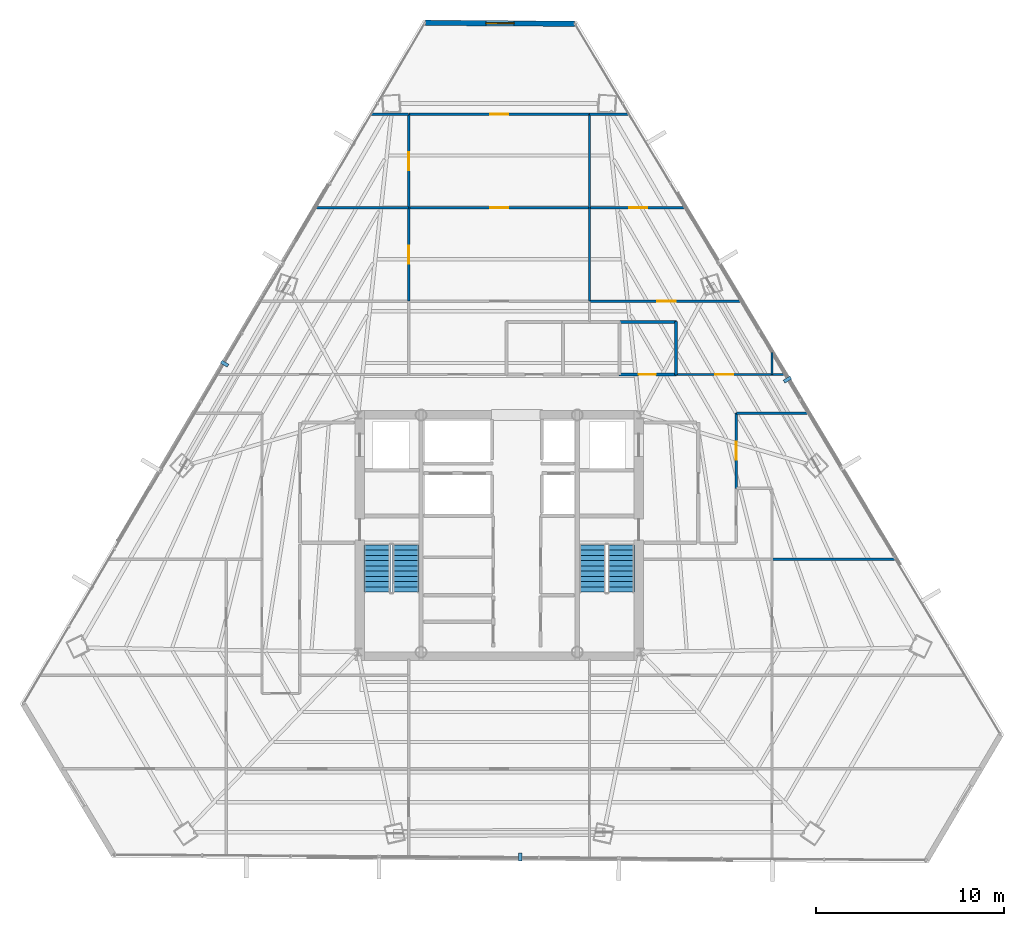
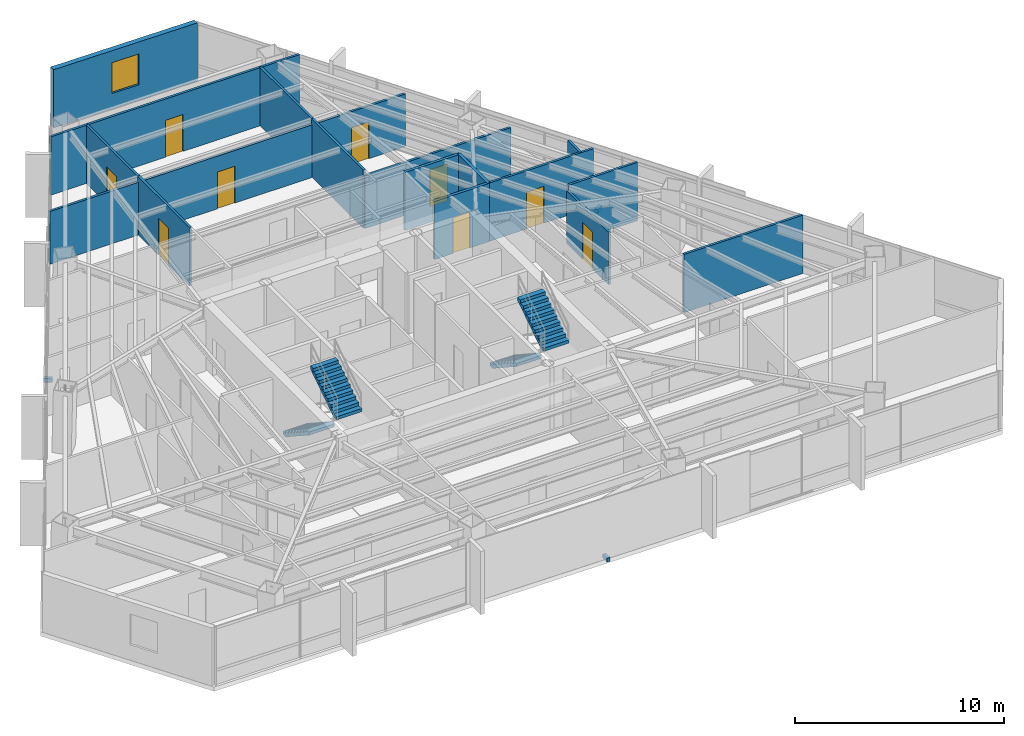
# One storey, part 37 of 40: 20 walls, 9 doors, 4 stair flights, 3 discrete accessories, 1 window, 10 openings, 2 elements without a shape of their own.
"""IFC4 building model written with IfcOpenShell, lengths in metres."""

from ifc_helpers import new_model, si_unit, direction, frame, frame_2d, origin, origin_2d, place, context, subcontext, project, spatial, polyline, rectangle, outline, extrude, source, transform, mapped, material, layer, layer_set, type_object, type_shapes, element, fill, aggregate, save


model = new_model("IFC4")

# Units and contexts
model_context = context("Model", 3, precision=1e-05, world=origin(), true_north=direction((0.0, 1.0)))
body_context = subcontext(model_context, "Body", "Model", "MODEL_VIEW")
ifc_project = project(units=[si_unit("LENGTHUNIT", "METRE"), si_unit("AREAUNIT", "SQUARE_METRE"), si_unit("VOLUMEUNIT", "CUBIC_METRE"), si_unit("PLANEANGLEUNIT", "RADIAN"), si_unit("MASSUNIT", "GRAM", prefix="KILO")], contexts=[model_context])

# Site, building, storey
site_placement = place(None, origin())
site = spatial("IfcSite", under=ifc_project, at=site_placement, CompositionType="ELEMENT")
building_placement = place(site_placement, origin())
building = spatial("IfcBuilding", under=site, at=building_placement, Name="Caelisora Broadcast Tower", CompositionType="ELEMENT")
storey_placement = place(building_placement, frame((0.0, 0.0, 176.75)))
storey = spatial("IfcBuildingStorey", under=building, at=storey_placement, Name="L46", CompositionType="ELEMENT", Elevation=176.75)

# Wall, opening, window
ifc_material_1 = material(Name="Insulated Terracotta Spandrel Wall System", Category="masonry")
ifc_layer_1 = layer(ifc_material_1, 0.280029296875, Name="Insulated Terracotta Spandrel Wall System")
ifc_layer_set_1 = layer_set([ifc_layer_1], Name="Insulated Terracotta Spandrel Wall System")
wall_type_1 = type_object("IfcWallType", Name="EW1", PredefinedType="STANDARD", material=ifc_layer_set_1)
wall_1_placement = place(storey_placement, frame((34.093994140625, 50.834716796875, 0.0), z_axis=(0.0, 0.0, 1.0), x_axis=(0.999978773083, -0.006515626135, 0.0)))
wall_1 = element("IfcWall", 1, at=wall_1_placement, inside=storey, type_object=wall_type_1, Name="L46 exterior envelope wall EW1", PredefinedType="STANDARD", context=body_context, shape_type="SweptSolid", body=[
    extrude(rectangle(XDim=7.90625, YDim=0.280029296875, at=frame_2d((3.953125, 0.0))), origin(), (0.0, 0.0, 1.0), 3.39990234375),
])
opening_1_placement = place(wall_1_placement, frame((3.199951171875, 0.0, 0.89990234375)))
opening_1 = element("IfcOpeningElement", 2, at=opening_1_placement, cuts=wall_1, Name="Opening W02", PredefinedType="OPENING", context=body_context, shape_type="SweptSolid", body=[
    extrude(rectangle(XDim=1.5, YDim=1.800048828125, at=frame_2d((0.75, 0.89990234375))), frame((0.0, 0.152099609375, 0.0), z_axis=(0.0, -1.0, 0.0), x_axis=(1.0, 0.0, 0.0)), (0.0, 0.0, 1.0), 0.303955078125),
])
ifc_material_2 = material(Name="Double Glazed Terracotta-Framed Vision Window", Category="glass")
window_type = type_object("IfcWindowType", Name="W02", PartitioningType="SINGLE_PANEL", PredefinedType="WINDOW", material=ifc_material_2)
window_placement = place(opening_1_placement, origin())
window = element("IfcWindow", 3, at=window_placement, inside=storey, type_object=window_type, Name="L46 window W02 (L46-WN-CH8)", OverallHeight=1.800048828125, OverallWidth=1.5, PartitioningType="SINGLE_PANEL", PredefinedType="WINDOW", context=body_context, shape_type="SweptSolid", body=[
    extrude(rectangle(XDim=1.5, YDim=1.800048828125, at=frame_2d((0.75, 0.89990234375))), frame((0.0, 0.030029296875, 0.0), z_axis=(0.0, -1.0, 0.0), x_axis=(1.0, 0.0, 0.0)), (0.0, 0.0, 1.0), 0.06005859375),
])
fill(opening_1, window)

# Wall, opening, door
ifc_material_3 = material(Name="Acoustic Steel-Stud Plasterboard Partition", Category="gypsum")
ifc_layer_2 = layer(ifc_material_3, 0.1298828125, Name="Acoustic Steel-Stud Plasterboard Partition")
ifc_layer_set_2 = layer_set([ifc_layer_2], Name="Acoustic Steel-Stud Plasterboard Partition")
wall_type_2 = type_object("IfcWallType", Name="PW3", PredefinedType="PARTITIONING", material=ifc_layer_set_2)
wall_2_placement = place(storey_placement, frame((33.205078125, 45.969970703125, 0.0), z_axis=(0.0, 0.0, 1.0), x_axis=(1.0, 0.0, 0.0)))
wall_2 = element("IfcWall", 4, at=wall_2_placement, inside=storey, type_object=wall_type_2, Name="L46 internal partition PW3", PredefinedType="PARTITIONING", context=body_context, shape_type="SweptSolid", body=[
    extrude(rectangle(XDim=9.58984375, YDim=0.1298828125, at=frame_2d((4.794921875, 0.0))), origin(), (0.0, 0.0, 1.0), 3.39990234375),
])
opening_2_placement = place(wall_2_placement, frame((4.31494140625, 0.0, 0.0)))
opening_2 = element("IfcOpeningElement", 5, at=opening_2_placement, cuts=wall_2, Name="Opening D01", PredefinedType="OPENING", context=body_context, shape_type="SweptSolid", body=[
    extrude(rectangle(XDim=0.9599609375, YDim=2.14990234375, at=frame_2d((0.47998046875, 1.074951171875))), frame((0.0, 0.076904296875, 0.0), z_axis=(0.0, -1.0, 0.0), x_axis=(1.0, 0.0, 0.0)), (0.0, 0.0, 1.0), 0.15380859375),
])
ifc_material_4 = material(Name="Solid-Core Timber Acoustic Office Door", Category="wood")
door_type_1 = type_object("IfcDoorType", Name="D01", OperationType="NOTDEFINED", PredefinedType="DOOR", material=ifc_material_4)
door_1_placement = place(opening_2_placement, origin())
door_1 = element("IfcDoor", 6, at=door_1_placement, inside=storey, type_object=door_type_1, Name="L46 door D01 (L46-DR-P37D1)", OperationType="SINGLE_SWING_RIGHT", OverallHeight=2.14990234375, OverallWidth=0.9599609375, PredefinedType="DOOR", context=body_context, shape_type="SweptSolid", body=[
    extrude(rectangle(XDim=0.9599609375, YDim=2.14990234375, at=frame_2d((0.47998046875, 1.074951171875))), frame((0.0, 0.02490234375, 0.0), z_axis=(0.0, -1.0, 0.0), x_axis=(1.0, 0.0, 0.0)), (0.0, 0.0, 1.0), 0.050048828125),
])
fill(opening_2, door_1)

wall_3_placement = place(storey_placement, frame((33.205078125, 41.0, 0.0), z_axis=(0.0, 0.0, 1.0), x_axis=(1.0, 0.0, 0.0)))
wall_3 = element("IfcWall", 7, at=wall_3_placement, inside=storey, type_object=wall_type_2, Name="L46 internal partition PW3", PredefinedType="PARTITIONING", context=body_context, shape_type="SweptSolid", body=[
    extrude(rectangle(XDim=9.58984375, YDim=0.1298828125, at=frame_2d((4.794921875, 0.0))), origin(), (0.0, 0.0, 1.0), 3.077880859375),
])
opening_3_placement = place(wall_3_placement, frame((4.31494140625, 0.0, 0.0)))
opening_3 = element("IfcOpeningElement", 8, at=opening_3_placement, cuts=wall_3, Name="Opening D01", PredefinedType="OPENING", context=body_context, shape_type="SweptSolid", body=[
    extrude(rectangle(XDim=0.9599609375, YDim=2.14990234375, at=frame_2d((0.47998046875, 1.074951171875))), frame((0.0, 0.076904296875, 0.0), z_axis=(0.0, -1.0, 0.0), x_axis=(1.0, 0.0, 0.0)), (0.0, 0.0, 1.0), 0.15380859375),
])
door_2_placement = place(opening_3_placement, origin())
door_2 = element("IfcDoor", 9, at=door_2_placement, inside=storey, type_object=door_type_1, Name="L46 door D01 (L46-DR-P38D1)", OperationType="SINGLE_SWING_LEFT", OverallHeight=2.14990234375, OverallWidth=0.9599609375, PredefinedType="DOOR", context=body_context, shape_type="SweptSolid", body=[
    extrude(rectangle(XDim=0.9599609375, YDim=2.14990234375, at=frame_2d((0.47998046875, 1.074951171875))), frame((0.0, 0.02490234375, 0.0), z_axis=(0.0, -1.0, 0.0), x_axis=(1.0, 0.0, 0.0)), (0.0, 0.0, 1.0), 0.050048828125),
])
fill(opening_3, door_2)

wall_4_placement = place(storey_placement, frame((42.804931640625, 36.0400390625, 0.0), z_axis=(0.0, 0.0, 1.0), x_axis=(1.0, 0.0, 0.0)))
wall_4 = element("IfcWall", 10, at=wall_4_placement, inside=storey, type_object=wall_type_2, Name="L46 internal partition PW3", PredefinedType="PARTITIONING", context=body_context, shape_type="SweptSolid", body=[
    extrude(rectangle(XDim=8.05908203125, YDim=0.1298828125, at=frame_2d((4.029541015625, 0.0))), origin(), (0.0, 0.0, 1.0), 3.077880859375),
])
opening_4_placement = place(wall_4_placement, frame((3.60693359375, 0.0, 0.0)))
opening_4 = element("IfcOpeningElement", 11, at=opening_4_placement, cuts=wall_4, Name="Opening D01", PredefinedType="OPENING", context=body_context, shape_type="SweptSolid", body=[
    extrude(rectangle(XDim=0.9599609375, YDim=2.14990234375, at=frame_2d((0.47998046875, 1.074951171875))), frame((0.0, 0.076904296875, 0.0), z_axis=(0.0, -1.0, 0.0), x_axis=(1.0, 0.0, 0.0)), (0.0, 0.0, 1.0), 0.15380859375),
])
door_3_placement = place(opening_4_placement, origin())
door_3 = element("IfcDoor", 12, at=door_3_placement, inside=storey, type_object=door_type_1, Name="L46 door D01 (L46-DR-P42D1)", OperationType="SINGLE_SWING_RIGHT", OverallHeight=2.14990234375, OverallWidth=0.9599609375, PredefinedType="DOOR", context=body_context, shape_type="SweptSolid", body=[
    extrude(rectangle(XDim=0.9599609375, YDim=2.14990234375, at=frame_2d((0.47998046875, 1.074951171875))), frame((0.0, 0.02490234375, 0.0), z_axis=(0.0, -1.0, 0.0), x_axis=(1.0, 0.0, 0.0)), (0.0, 0.0, 1.0), 0.050048828125),
])
fill(opening_4, door_3)

# Wall
wall_5_placement = place(storey_placement, frame((52.5048828125, 22.340087890625, 0.0), z_axis=(0.0, 0.0, 1.0), x_axis=(1.0, 0.0, 0.0)))
element("IfcWall", 13, at=wall_5_placement, inside=storey, type_object=wall_type_2, Name="L46 internal partition PW3", PredefinedType="PARTITIONING", context=body_context, shape_type="SweptSolid", body=[
    extrude(rectangle(XDim=6.563720703125, YDim=0.1298828125, at=frame_2d((3.28173828125, 0.0))), origin(), (0.0, 0.0, 1.0), 3.39990234375),
])

# Wall, opening, door
wall_6_placement = place(storey_placement, frame((42.804931640625, 41.0, 0.0), z_axis=(0.0, 0.0, 1.0), x_axis=(1.0, 0.0, 0.0)))
wall_6 = element("IfcWall", 14, at=wall_6_placement, inside=storey, type_object=wall_type_2, Name="L46 internal partition PW3", PredefinedType="PARTITIONING", context=body_context, shape_type="SweptSolid", body=[
    extrude(rectangle(XDim=5.0888671875, YDim=0.1298828125, at=frame_2d((2.54443359375, 0.0))), origin(), (0.0, 0.0, 1.0), 3.077880859375),
])
opening_5_placement = place(wall_6_placement, frame((2.117919921875, 0.0, 0.0)))
opening_5 = element("IfcOpeningElement", 15, at=opening_5_placement, cuts=wall_6, Name="Opening D01", PredefinedType="OPENING", context=body_context, shape_type="SweptSolid", body=[
    extrude(rectangle(XDim=0.9599609375, YDim=2.14990234375, at=frame_2d((0.47998046875, 1.074951171875))), frame((0.0, 0.076904296875, 0.0), z_axis=(0.0, -1.0, 0.0), x_axis=(1.0, 0.0, 0.0)), (0.0, 0.0, 1.0), 0.15380859375),
])
door_4_placement = place(opening_5_placement, origin())
door_4 = element("IfcDoor", 16, at=door_4_placement, inside=storey, type_object=door_type_1, Name="L46 door D01 (L46-DR-P53D1)", OperationType="SINGLE_SWING_RIGHT", OverallHeight=2.14990234375, OverallWidth=0.9599609375, PredefinedType="DOOR", context=body_context, shape_type="SweptSolid", body=[
    extrude(rectangle(XDim=0.9599609375, YDim=2.14990234375, at=frame_2d((0.47998046875, 1.074951171875))), frame((0.0, 0.02490234375, 0.0), z_axis=(0.0, -1.0, 0.0), x_axis=(1.0, 0.0, 0.0)), (0.0, 0.0, 1.0), 0.050048828125),
])
fill(opening_5, door_4)

wall_7_placement = place(storey_placement, frame((47.405029296875, 32.14990234375, 0.0), z_axis=(0.0, 0.0, 1.0), x_axis=(1.0, 0.0, 0.0)))
wall_7 = element("IfcWall", 17, at=wall_7_placement, inside=storey, type_object=wall_type_2, Name="L46 internal partition PW3", PredefinedType="PARTITIONING", context=body_context, shape_type="SweptSolid", body=[
    extrude(rectangle(XDim=5.762939453125, YDim=0.1298828125, at=frame_2d((2.88134765625, 0.0))), origin(), (0.0, 0.0, 1.0), 3.39990234375),
])
opening_6_placement = place(wall_7_placement, frame((2.06494140625, 0.0, 0.0)))
opening_6 = element("IfcOpeningElement", 18, at=opening_6_placement, cuts=wall_7, Name="Opening D01", PredefinedType="OPENING", context=body_context, shape_type="SweptSolid", body=[
    extrude(rectangle(XDim=0.9599609375, YDim=2.14990234375, at=frame_2d((0.47998046875, 1.074951171875))), frame((0.0, 0.076904296875, 0.0), z_axis=(0.0, -1.0, 0.0), x_axis=(1.0, 0.0, 0.0)), (0.0, 0.0, 1.0), 0.15380859375),
])
door_5_placement = place(opening_6_placement, origin())
door_5 = element("IfcDoor", 19, at=door_5_placement, inside=storey, type_object=door_type_1, Name="L46 door D01 (L46-DR-P55D1)", OperationType="SINGLE_SWING_RIGHT", OverallHeight=2.14990234375, OverallWidth=0.9599609375, PredefinedType="DOOR", context=body_context, shape_type="SweptSolid", body=[
    extrude(rectangle(XDim=0.9599609375, YDim=2.14990234375, at=frame_2d((0.47998046875, 1.074951171875))), frame((0.0, 0.02490234375, 0.0), z_axis=(0.0, -1.0, 0.0), x_axis=(1.0, 0.0, 0.0)), (0.0, 0.0, 1.0), 0.050048828125),
])
fill(opening_6, door_5)

# Walls
wall_8_placement = place(storey_placement, frame((28.257080078125, 41.0, 0.0), z_axis=(0.0, 0.0, 1.0), x_axis=(1.0, 0.0, 0.0)))
element("IfcWall", 20, at=wall_8_placement, inside=storey, type_object=wall_type_2, Name="L46 internal partition PW3", PredefinedType="PARTITIONING", context=body_context, shape_type="SweptSolid", body=[
    extrude(rectangle(XDim=4.93798828125, YDim=0.1298828125, at=frame_2d((2.468994140625, 0.0))), origin(), (0.0, 0.0, 1.0), 3.077880859375),
])
wall_9_placement = place(storey_placement, frame((42.800048828125, 41.0048828125, 0.0), z_axis=(0.0, 0.0, 1.0), x_axis=(0.0, 1.0, 0.0)))
element("IfcWall", 21, at=wall_9_placement, inside=storey, type_object=wall_type_2, Name="L46 internal partition PW3", PredefinedType="PARTITIONING", context=body_context, shape_type="SweptSolid", body=[
    extrude(rectangle(XDim=4.960205078125, YDim=0.1298828125, at=frame_2d((2.47998046875, 0.0))), origin(), (0.0, 0.0, 1.0), 3.39990234375),
])

# Wall, opening, door
wall_10_placement = place(storey_placement, frame((33.199951171875, 41.0048828125, 0.0), z_axis=(0.0, 0.0, 1.0), x_axis=(0.0, 1.0, 0.0)))
wall_10 = element("IfcWall", 22, at=wall_10_placement, inside=storey, type_object=wall_type_2, Name="L46 internal partition PW3", PredefinedType="PARTITIONING", context=body_context, shape_type="SweptSolid", body=[
    extrude(rectangle(XDim=4.960205078125, YDim=0.1298828125, at=frame_2d((2.47998046875, 0.0))), origin(), (0.0, 0.0, 1.0), 3.39990234375),
])
opening_7_placement = place(wall_10_placement, frame((2.0, 0.0, 0.0)))
opening_7 = element("IfcOpeningElement", 23, at=opening_7_placement, cuts=wall_10, Name="Opening D01", PredefinedType="OPENING", context=body_context, shape_type="SweptSolid", body=[
    extrude(rectangle(XDim=0.9599609375, YDim=2.14990234375, at=frame_2d((0.47998046875, 1.074951171875))), frame((0.0, 0.076904296875, 0.0), z_axis=(0.0, -1.0, 0.0), x_axis=(1.0, 0.0, 0.0)), (0.0, 0.0, 1.0), 0.15380859375),
])
door_6_placement = place(opening_7_placement, origin())
door_6 = element("IfcDoor", 24, at=door_6_placement, inside=storey, type_object=door_type_1, Name="L46 door D01 (L46-DR-P58D1)", OperationType="SINGLE_SWING_LEFT", OverallHeight=2.14990234375, OverallWidth=0.9599609375, PredefinedType="DOOR", context=body_context, shape_type="SweptSolid", body=[
    extrude(rectangle(XDim=0.9599609375, YDim=2.14990234375, at=frame_2d((0.47998046875, 1.074951171875))), frame((0.0, 0.02490234375, 0.0), z_axis=(0.0, -1.0, 0.0), x_axis=(1.0, 0.0, 0.0)), (0.0, 0.0, 1.0), 0.050048828125),
])
fill(opening_7, door_6)

# Wall
wall_11_placement = place(storey_placement, frame((42.800048828125, 36.044921875, 0.0), z_axis=(0.0, 0.0, 1.0), x_axis=(0.0, 1.0, 0.0)))
element("IfcWall", 25, at=wall_11_placement, inside=storey, type_object=wall_type_2, Name="L46 internal partition PW3", PredefinedType="PARTITIONING", context=body_context, shape_type="SweptSolid", body=[
    extrude(rectangle(XDim=4.9501953125, YDim=0.1298828125, at=frame_2d((2.47509765625, 0.0))), origin(), (0.0, 0.0, 1.0), 3.39990234375),
])

# Wall, opening, door
wall_12_placement = place(storey_placement, frame((33.199951171875, 36.044921875, 0.0), z_axis=(0.0, 0.0, 1.0), x_axis=(0.0, 1.0, 0.0)))
wall_12 = element("IfcWall", 26, at=wall_12_placement, inside=storey, type_object=wall_type_2, Name="L46 internal partition PW3", PredefinedType="PARTITIONING", context=body_context, shape_type="SweptSolid", body=[
    extrude(rectangle(XDim=4.9501953125, YDim=0.1298828125, at=frame_2d((2.47509765625, 0.0))), origin(), (0.0, 0.0, 1.0), 3.39990234375),
])
opening_8_placement = place(wall_12_placement, frame((1.9951171875, 0.0, 0.0)))
opening_8 = element("IfcOpeningElement", 27, at=opening_8_placement, cuts=wall_12, Name="Opening D01", PredefinedType="OPENING", context=body_context, shape_type="SweptSolid", body=[
    extrude(rectangle(XDim=0.9599609375, YDim=2.14990234375, at=frame_2d((0.47998046875, 1.074951171875))), frame((0.0, 0.076904296875, 0.0), z_axis=(0.0, -1.0, 0.0), x_axis=(1.0, 0.0, 0.0)), (0.0, 0.0, 1.0), 0.15380859375),
])
door_7_placement = place(opening_8_placement, origin())
door_7 = element("IfcDoor", 28, at=door_7_placement, inside=storey, type_object=door_type_1, Name="L46 door D01 (L46-DR-P64D1)", OperationType="SINGLE_SWING_RIGHT", OverallHeight=2.14990234375, OverallWidth=0.9599609375, PredefinedType="DOOR", context=body_context, shape_type="SweptSolid", body=[
    extrude(rectangle(XDim=0.9599609375, YDim=2.14990234375, at=frame_2d((0.47998046875, 1.074951171875))), frame((0.0, 0.02490234375, 0.0), z_axis=(0.0, -1.0, 0.0), x_axis=(1.0, 0.0, 0.0)), (0.0, 0.0, 1.0), 0.050048828125),
])
fill(opening_8, door_7)

wall_13_placement = place(storey_placement, frame((50.60009765625, 26.10498046875, 0.0), z_axis=(0.0, 0.0, 1.0), x_axis=(0.0, 1.0, 0.0)))
wall_13 = element("IfcWall", 29, at=wall_13_placement, inside=storey, type_object=wall_type_2, Name="L46 internal partition PW3", PredefinedType="PARTITIONING", context=body_context, shape_type="SweptSolid", body=[
    extrude(rectangle(XDim=3.989990234375, YDim=0.1298828125, at=frame_2d((1.9951171875, 0.0))), origin(), (0.0, 0.0, 1.0), 3.077880859375),
])
opening_9_placement = place(wall_13_placement, frame((1.514892578125, 0.0, 0.0)))
opening_9 = element("IfcOpeningElement", 30, at=opening_9_placement, cuts=wall_13, Name="Opening D01", PredefinedType="OPENING", context=body_context, shape_type="SweptSolid", body=[
    extrude(rectangle(XDim=0.9599609375, YDim=2.14990234375, at=frame_2d((0.47998046875, 1.074951171875))), frame((0.0, 0.076904296875, 0.0), z_axis=(0.0, -1.0, 0.0), x_axis=(1.0, 0.0, 0.0)), (0.0, 0.0, 1.0), 0.15380859375),
])
door_8_placement = place(opening_9_placement, origin())
door_8 = element("IfcDoor", 31, at=door_8_placement, inside=storey, type_object=door_type_1, Name="L46 door D01 (L46-DR-P69D1)", OperationType="SINGLE_SWING_RIGHT", OverallHeight=2.14990234375, OverallWidth=0.9599609375, PredefinedType="DOOR", context=body_context, shape_type="SweptSolid", body=[
    extrude(rectangle(XDim=0.9599609375, YDim=2.14990234375, at=frame_2d((0.47998046875, 1.074951171875))), frame((0.0, 0.02490234375, 0.0), z_axis=(0.0, -1.0, 0.0), x_axis=(1.0, 0.0, 0.0)), (0.0, 0.0, 1.0), 0.050048828125),
])
fill(opening_9, door_8)

# Walls
wall_14_placement = place(storey_placement, frame((50.60498046875, 30.10009765625, 0.0), z_axis=(0.0, 0.0, 1.0), x_axis=(1.0, 0.0, 0.0)))
element("IfcWall", 32, at=wall_14_placement, inside=storey, type_object=wall_type_2, Name="L46 internal partition PW3", PredefinedType="PARTITIONING", context=body_context, shape_type="SweptSolid", body=[
    extrude(rectangle(XDim=3.81640625, YDim=0.1298828125, at=frame_2d((1.908203125, 0.0))), origin(), (0.0, 0.0, 1.0), 3.39990234375),
])
wall_15_placement = place(storey_placement, frame((42.804931640625, 45.969970703125, 0.0), z_axis=(0.0, 0.0, 1.0), x_axis=(1.0, 0.0, 0.0)))
element("IfcWall", 33, at=wall_15_placement, inside=storey, type_object=wall_type_2, Name="L46 internal partition PW3", PredefinedType="PARTITIONING", context=body_context, shape_type="SweptSolid", body=[
    extrude(rectangle(XDim=2.112548828125, YDim=0.1298828125, at=frame_2d((1.05615234375, 0.0))), origin(), (0.0, 0.0, 1.0), 3.39990234375),
])
wall_16_placement = place(storey_placement, frame((31.188720703125, 45.969970703125, 0.0), z_axis=(0.0, 0.0, 1.0), x_axis=(1.0, 0.0, 0.0)))
element("IfcWall", 34, at=wall_16_placement, inside=storey, type_object=wall_type_2, Name="L46 internal partition PW3", PredefinedType="PARTITIONING", context=body_context, shape_type="SweptSolid", body=[
    extrude(rectangle(XDim=2.00634765625, YDim=0.1298828125, at=frame_2d((1.003173828125, 0.0))), origin(), (0.0, 0.0, 1.0), 3.39990234375),
])
wall_17_placement = place(storey_placement, frame((52.5, 32.155029296875, 0.0), z_axis=(0.0, 0.0, 1.0), x_axis=(0.0, 1.0, 0.0)))
element("IfcWall", 35, at=wall_17_placement, inside=storey, type_object=wall_type_2, Name="L46 internal partition PW3", PredefinedType="PARTITIONING", context=body_context, shape_type="SweptSolid", body=[
    extrude(rectangle(XDim=1.1533203125, YDim=0.1298828125, at=frame_2d((0.57666015625, 0.0))), origin(), (0.0, 0.0, 1.0), 3.39990234375),
])

# Wall, opening, door
ifc_material_5 = material(Name="Moisture-Resistant Wet Plumbing Service Wall", Category="gypsum")
ifc_layer_3 = layer(ifc_material_5, 0.159912109375, Name="Moisture-Resistant Wet Plumbing Service Wall")
ifc_layer_set_3 = layer_set([ifc_layer_3], Name="Moisture-Resistant Wet Plumbing Service Wall")
wall_type_3 = type_object("IfcWallType", Name="PW4", PredefinedType="PLUMBINGWALL", material=ifc_layer_set_3)
wall_18_placement = place(storey_placement, frame((44.375, 32.14990234375, 0.0), z_axis=(0.0, 0.0, 1.0), x_axis=(1.0, 0.0, 0.0)))
wall_18 = element("IfcWall", 36, at=wall_18_placement, inside=storey, type_object=wall_type_3, Name="L46 wet plumbing wall PW4", PredefinedType="PLUMBINGWALL", context=body_context, shape_type="SweptSolid", body=[
    extrude(rectangle(XDim=3.050048828125, YDim=0.159912109375, at=frame_2d((1.52490234375, 0.0))), origin(), (0.0, 0.0, 1.0), 3.39990234375),
])
opening_10_placement = place(wall_18_placement, frame((1.034912109375, 0.0, 0.0)))
opening_10 = element("IfcOpeningElement", 37, at=opening_10_placement, cuts=wall_18, Name="Opening D03", PredefinedType="OPENING", context=body_context, shape_type="SweptSolid", body=[
    extrude(rectangle(XDim=0.919921875, YDim=2.10009765625, at=frame_2d((0.4599609375, 1.050048828125))), frame((0.0, 0.092041015625, 0.0), z_axis=(0.0, -1.0, 0.0), x_axis=(1.0, 0.0, 0.0)), (0.0, 0.0, 1.0), 0.183837890625),
])
ifc_material_6 = material(Name="Laminate Moisture-Resistant Amenity WC Door", Category="wood")
door_type_2 = type_object("IfcDoorType", Name="D03", OperationType="NOTDEFINED", PredefinedType="DOOR", material=ifc_material_6)
door_9_placement = place(opening_10_placement, origin())
door_9 = element("IfcDoor", 38, at=door_9_placement, inside=storey, type_object=door_type_2, Name="L46 door D03 (L46-DR-P19D1)", OperationType="SINGLE_SWING_RIGHT", OverallHeight=2.10009765625, OverallWidth=0.919921875, PredefinedType="DOOR", context=body_context, shape_type="SweptSolid", body=[
    extrude(rectangle(XDim=0.919921875, YDim=2.10009765625, at=frame_2d((0.4599609375, 1.050048828125))), frame((0.0, 0.02490234375, 0.0), z_axis=(0.0, -1.0, 0.0), x_axis=(1.0, 0.0, 0.0)), (0.0, 0.0, 1.0), 0.050048828125),
])
fill(opening_10, door_9)

# Walls
wall_19_placement = place(storey_placement, frame((47.425048828125, 34.949951171875, 0.0), z_axis=(0.0, 0.0, 1.0), x_axis=(-1.0, 0.0, 0.0)))
element("IfcWall", 39, at=wall_19_placement, inside=storey, type_object=wall_type_3, Name="L46 wet plumbing wall PW4", PredefinedType="PLUMBINGWALL", context=body_context, shape_type="SweptSolid", body=[
    extrude(rectangle(XDim=3.050048828125, YDim=0.159912109375, at=frame_2d((1.52490234375, 0.0))), origin(), (0.0, 0.0, 1.0), 3.39990234375),
])
wall_20_placement = place(storey_placement, frame((47.39990234375, 32.125, 0.0), z_axis=(0.0, 0.0, 1.0), x_axis=(0.0, 1.0, 0.0)))
element("IfcWall", 40, at=wall_20_placement, inside=storey, type_object=wall_type_3, Name="L46 wet plumbing wall PW4", PredefinedType="PLUMBINGWALL", context=body_context, shape_type="SweptSolid", body=[
    extrude(rectangle(XDim=2.85009765625, YDim=0.159912109375, at=frame_2d((1.425048828125, 0.0))), origin(), (0.0, 0.0, 1.0), 3.39990234375),
])

# Stair, stair flights
ifc_material_7 = material(Name="Concrete 40 MPa (AS 3600 N40)", Category="concrete")
stair_type_1 = type_object("IfcStairType", Name="ST-1", PredefinedType="HALF_TURN_STAIR", material=ifc_material_7)
stair_1_placement = place(storey_placement, origin())
stair_1 = element("IfcStair", 41, at=stair_1_placement, inside=storey, type_object=stair_type_1, Name="L46 West Fire-Isolated Tower Stair", PredefinedType="HALF_TURN_STAIR")
stair_flight_type = type_object("IfcStairFlightType", Name="STF-3", PredefinedType="STRAIGHT", material=ifc_material_7)
stair_flight_1_placement = place(storey_placement, frame((31.52001953125, 23.10009765625, 0.0), z_axis=(0.0, 0.0, 1.0), x_axis=(0.0, -1.0, 0.0)))
stair_flight_1 = element("IfcStairFlight", 42, at=stair_flight_1_placement, type_object=stair_flight_type, Name="ST-1 flight 1", NumberOfRisers=10, NumberOfTreads=9, PredefinedType="STRAIGHT", RiserHeight=0.1825, TreadLength=0.28, context=body_context, shape_type="SweptSolid", body=[
    extrude(outline(polyline([(0.0, 0.0), (0.0, 0.1826171875), (0.280029296875, 0.1826171875), (0.280029296875, 0.364990234375), (0.56005859375, 0.364990234375), (0.56005859375, 0.547607421875), (0.840087890625, 0.547607421875), (0.840087890625, 0.72998046875), (1.1201171875, 0.72998046875), (1.1201171875, 0.91259765625), (1.39990234375, 0.91259765625), (1.39990234375, 1.094970703125), (1.679931640625, 1.094970703125), (1.679931640625, 1.277587890625), (1.9599609375, 1.277587890625), (1.9599609375, 1.4599609375), (2.239990234375, 1.4599609375), (2.239990234375, 1.642578125), (2.52001953125, 1.642578125), (2.52001953125, 1.824951171875), (2.52001953125, 1.463623046875), (0.2744140625, 0.0), (0.0, 0.0)])), frame((0.0, 0.699951171875, 0.0), z_axis=(0.0, -1.0, 0.0), x_axis=(1.0, 0.0, 0.0)), (0.0, 0.0, 1.0), 1.39990234375),
])
stair_flight_2_placement = place(storey_placement, frame((33.0400390625, 20.580078125, 1.824951171875), z_axis=(0.0, 0.0, 1.0), x_axis=(0.0, 1.0, 0.0)))
stair_flight_2 = element("IfcStairFlight", 43, at=stair_flight_2_placement, type_object=stair_flight_type, Name="ST-1 flight 2", NumberOfRisers=10, NumberOfTreads=9, PredefinedType="STRAIGHT", RiserHeight=0.1825, TreadLength=0.28, context=body_context, shape_type="SweptSolid", body=[
    extrude(outline(polyline([(0.0, 0.0), (0.0, 0.1826171875), (0.280029296875, 0.1826171875), (0.280029296875, 0.364990234375), (0.56005859375, 0.364990234375), (0.56005859375, 0.547607421875), (0.840087890625, 0.547607421875), (0.840087890625, 0.72998046875), (1.1201171875, 0.72998046875), (1.1201171875, 0.91259765625), (1.39990234375, 0.91259765625), (1.39990234375, 1.094970703125), (1.679931640625, 1.094970703125), (1.679931640625, 1.277587890625), (1.9599609375, 1.277587890625), (1.9599609375, 1.4599609375), (2.239990234375, 1.4599609375), (2.239990234375, 1.642578125), (2.52001953125, 1.642578125), (2.52001953125, 1.824951171875), (2.52001953125, 1.463623046875), (0.2744140625, 0.0), (0.0, 0.0)])), frame((0.0, 0.699951171875, 0.0), z_axis=(0.0, -1.0, 0.0), x_axis=(1.0, 0.0, 0.0)), (0.0, 0.0, 1.0), 1.39990234375),
])
aggregate(stair_1, [stair_flight_1, stair_flight_2])

stair_type_2 = type_object("IfcStairType", Name="ST-2", PredefinedType="HALF_TURN_STAIR", material=ifc_material_7)
stair_2_placement = place(storey_placement, origin())
stair_2 = element("IfcStair", 44, at=stair_2_placement, inside=storey, type_object=stair_type_2, Name="L46 East Fire-Isolated Tower Stair", PredefinedType="HALF_TURN_STAIR")
stair_flight_3_placement = place(storey_placement, frame((42.9599609375, 23.10009765625, 0.0), z_axis=(0.0, 0.0, 1.0), x_axis=(0.0, -1.0, 0.0)))
stair_flight_3 = element("IfcStairFlight", 45, at=stair_flight_3_placement, type_object=stair_flight_type, Name="ST-2 flight 1", NumberOfRisers=10, NumberOfTreads=9, PredefinedType="STRAIGHT", RiserHeight=0.1825, TreadLength=0.28, context=body_context, shape_type="SweptSolid", body=[
    extrude(outline(polyline([(0.0, 0.0), (0.0, 0.1826171875), (0.280029296875, 0.1826171875), (0.280029296875, 0.364990234375), (0.56005859375, 0.364990234375), (0.56005859375, 0.547607421875), (0.840087890625, 0.547607421875), (0.840087890625, 0.72998046875), (1.1201171875, 0.72998046875), (1.1201171875, 0.91259765625), (1.39990234375, 0.91259765625), (1.39990234375, 1.094970703125), (1.679931640625, 1.094970703125), (1.679931640625, 1.277587890625), (1.9599609375, 1.277587890625), (1.9599609375, 1.4599609375), (2.239990234375, 1.4599609375), (2.239990234375, 1.642578125), (2.52001953125, 1.642578125), (2.52001953125, 1.824951171875), (2.52001953125, 1.463623046875), (0.2744140625, 0.0), (0.0, 0.0)])), frame((0.0, 0.699951171875, 0.0), z_axis=(0.0, -1.0, 0.0), x_axis=(1.0, 0.0, 0.0)), (0.0, 0.0, 1.0), 1.39990234375),
])
stair_flight_4_placement = place(storey_placement, frame((44.47998046875, 20.580078125, 1.824951171875), z_axis=(0.0, 0.0, 1.0), x_axis=(0.0, 1.0, 0.0)))
stair_flight_4 = element("IfcStairFlight", 46, at=stair_flight_4_placement, type_object=stair_flight_type, Name="ST-2 flight 2", NumberOfRisers=10, NumberOfTreads=9, PredefinedType="STRAIGHT", RiserHeight=0.1825, TreadLength=0.28, context=body_context, shape_type="SweptSolid", body=[
    extrude(outline(polyline([(0.0, 0.0), (0.0, 0.1826171875), (0.280029296875, 0.1826171875), (0.280029296875, 0.364990234375), (0.56005859375, 0.364990234375), (0.56005859375, 0.547607421875), (0.840087890625, 0.547607421875), (0.840087890625, 0.72998046875), (1.1201171875, 0.72998046875), (1.1201171875, 0.91259765625), (1.39990234375, 0.91259765625), (1.39990234375, 1.094970703125), (1.679931640625, 1.094970703125), (1.679931640625, 1.277587890625), (1.9599609375, 1.277587890625), (1.9599609375, 1.4599609375), (2.239990234375, 1.4599609375), (2.239990234375, 1.642578125), (2.52001953125, 1.642578125), (2.52001953125, 1.824951171875), (2.52001953125, 1.463623046875), (0.2744140625, 0.0), (0.0, 0.0)])), frame((0.0, 0.699951171875, 0.0), z_axis=(0.0, -1.0, 0.0), x_axis=(1.0, 0.0, 0.0)), (0.0, 0.0, 1.0), 1.39990234375),
])
aggregate(stair_2, [stair_flight_3, stair_flight_4])

# Discrete accessories
ifc_material_8 = material(Name="Steel Grade 350 (AS/NZS 3679.1)", Category="steel")
discrete_accessory_type = type_object("IfcDiscreteAccessoryType", Name="BRK-1", PredefinedType="BRACKET", material=ifc_material_8)
shared_shape = source(origin(), body_context, "Body", "SweptSolid", [
    extrude(rectangle(XDim=0.179931640625, YDim=0.419921875, at=origin_2d()), origin(), (0.0, 0.0, 1.0), 0.219970703125),
])
type_shapes(discrete_accessory_type, [shared_shape])
for number, where, z_axis, x_axis, name in (
    (47, (23.4150390625, 32.722412109375, -0.16015625), (0.0, 0.0, 1.0), (-0.507989441341, -0.861363295878, 0.0), "L46 solar screen outrigger bracket #1"),
    (48, (39.1181640625, 6.514404296875, -0.16015625), (0.0, 0.0, 1.0), (0.999978006703, -0.006632202536, 0.0), "L46 solar screen outrigger bracket #2"),
    (49, (53.316162109375, 31.87744140625, -0.16015625), (0.0, 0.0, 1.0), (-0.513840741921, 0.857885593737, 0.0), "L46 solar screen outrigger bracket #3"),
):
    element("IfcDiscreteAccessory", number, at=place(storey_placement, frame(where, z_axis=z_axis, x_axis=x_axis)), inside=storey, type_object=discrete_accessory_type, Name=name, PredefinedType="BRACKET", context=body_context, shape_type="MappedRepresentation", body=[
        mapped(shared_shape, transform((0.0, 0.0, 0.0), scale=1.0)),
    ])

save(model, "model.ifc")
